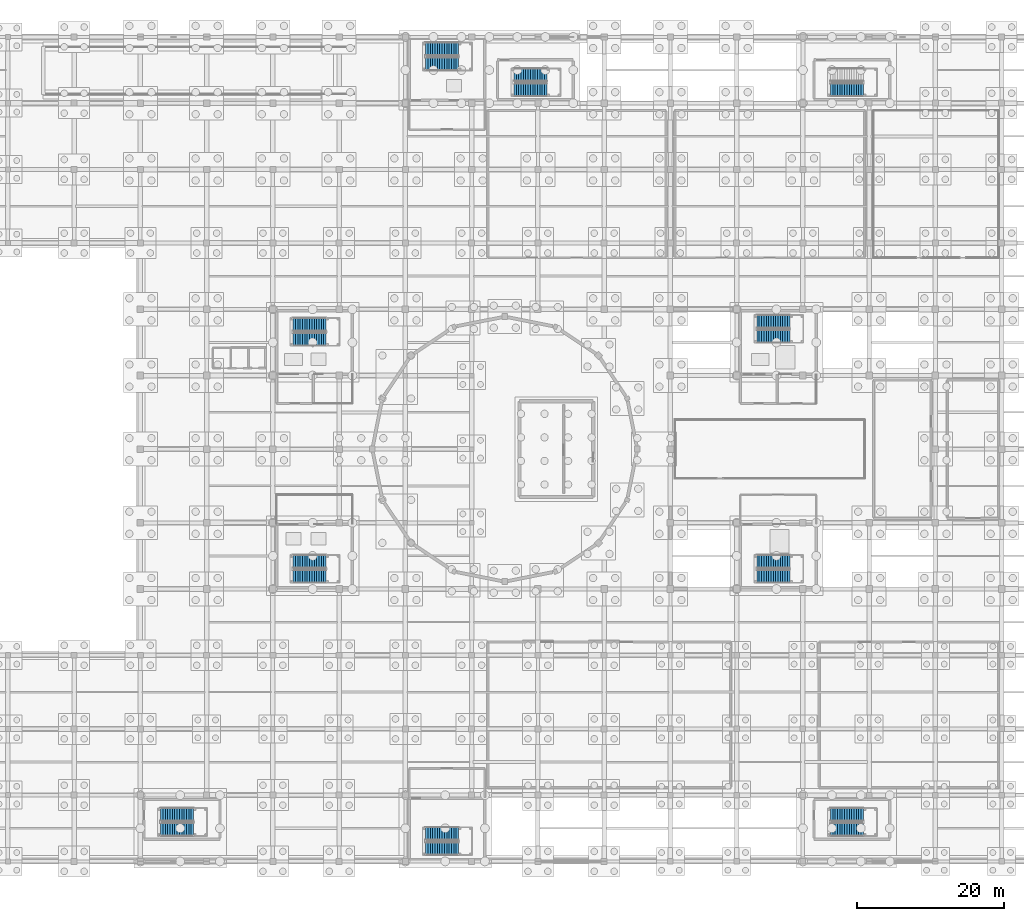
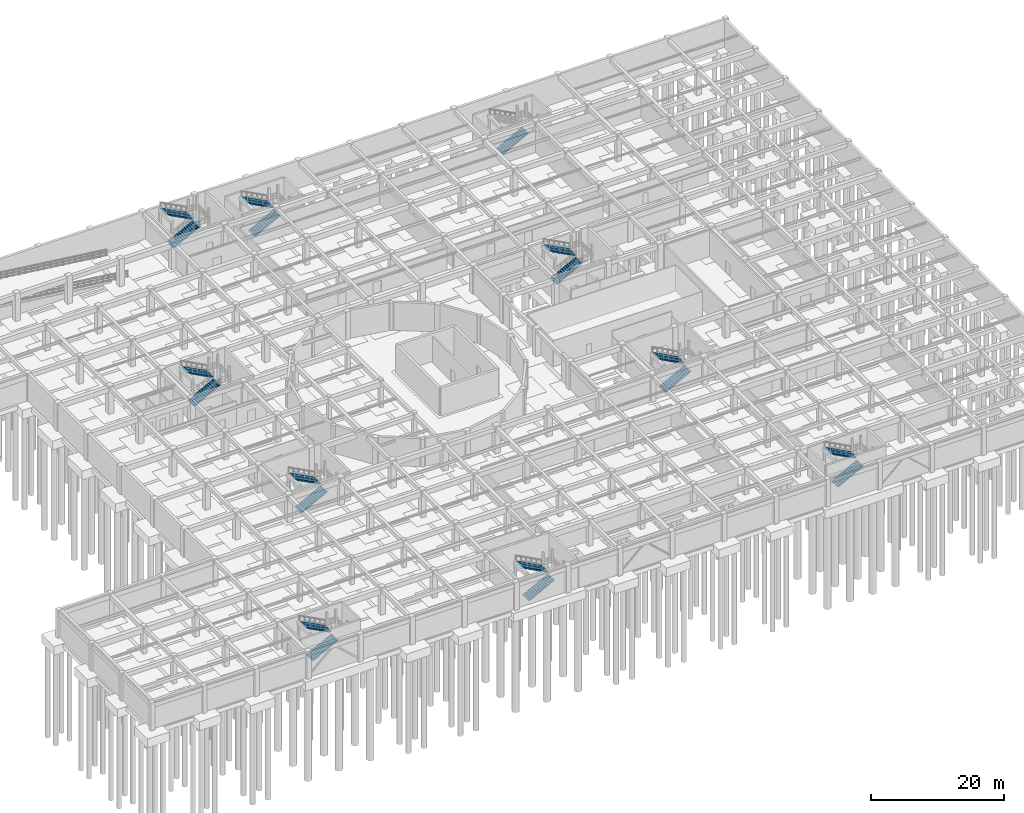
# One storey, part 51 of 62: 19 stair flights, 10 elements without a shape of their own.
"""IFC4 building model written with IfcOpenShell, lengths in metres."""

from ifc_helpers import new_model, si_unit, direction, frame, origin, place, context, subcontext, project, spatial, polyline, outline, extrude, material, type_object, element, aggregate, save


model = new_model("IFC4")

# Units and contexts
model_context = context("Model", 3, precision=1e-05, world=origin(), true_north=direction((0.0, 1.0)))
body_context = subcontext(model_context, "Body", "Model", "MODEL_VIEW")
ifc_project = project(units=[si_unit("LENGTHUNIT", "METRE"), si_unit("AREAUNIT", "SQUARE_METRE"), si_unit("VOLUMEUNIT", "CUBIC_METRE"), si_unit("PLANEANGLEUNIT", "RADIAN"), si_unit("MASSUNIT", "GRAM", prefix="KILO")], contexts=[model_context])

# Site, building, storey
site_placement = place(None, origin())
site = spatial("IfcSite", under=ifc_project, at=site_placement, CompositionType="ELEMENT")
building_placement = place(site_placement, origin())
building = spatial("IfcBuilding", under=site, at=building_placement, Name="Miravela Opera House", CompositionType="ELEMENT")
storey_placement = place(building_placement, frame((0.0, 0.0, -5.10009765625)))
storey = spatial("IfcBuildingStorey", under=building, at=storey_placement, Name="B01", CompositionType="ELEMENT", Elevation=-5.10009765625)

# Stair, stair flights
ifc_material = material(Name="Concrete C35/45", Category="concrete")
stair_type_1 = type_object("IfcStairType", Name="ARC-STAIR-CORE-1680", PredefinedType="HALF_TURN_STAIR", material=ifc_material)
stair_1_placement = place(storey_placement, origin())
stair_1 = element("IfcStair", 1, at=stair_1_placement, inside=storey, type_object=stair_type_1, Name="B01 Core K1 North Foyer and Firefighting Core Exit Stair ST-01", PredefinedType="HALF_TURN_STAIR")
stair_flight_type_1 = type_object("IfcStairFlightType", Name="ARC-FLIGHT-1680", PredefinedType="STRAIGHT", material=ifc_material)
stair_flight_1_placement = place(storey_placement, frame((47.739990234375, 70.919921875, 0.0), z_axis=(0.0, 0.0, 1.0), x_axis=(1.0, 0.0, 0.0)))
stair_flight_1 = element("IfcStairFlight", 2, at=stair_flight_1_placement, type_object=stair_flight_type_1, Name="ST-01 flight 1", NumberOfRisers=15, NumberOfTreads=14, PredefinedType="STRAIGHT", RiserHeight=0.17, TreadLength=0.32, context=body_context, shape_type="SweptSolid", body=[
    extrude(outline(polyline([(0.0, 0.0), (0.0, 0.169921875), (0.320068359375, 0.169921875), (0.320068359375, 0.340087890625), (0.639892578125, 0.340087890625), (0.639892578125, 0.510009765625), (0.9599609375, 0.510009765625), (0.9599609375, 0.679931640625), (1.280029296875, 0.679931640625), (1.280029296875, 0.85009765625), (1.60009765625, 0.85009765625), (1.60009765625, 1.02001953125), (1.919921875, 1.02001953125), (1.919921875, 1.18994140625), (2.239990234375, 1.18994140625), (2.239990234375, 1.360107421875), (2.56005859375, 1.360107421875), (2.56005859375, 1.530029296875), (2.8798828125, 1.530029296875), (2.8798828125, 1.699951171875), (3.199951171875, 1.699951171875), (3.199951171875, 1.8701171875), (3.52001953125, 1.8701171875), (3.52001953125, 2.0400390625), (3.840087890625, 2.0400390625), (3.840087890625, 2.2099609375), (4.159912109375, 2.2099609375), (4.159912109375, 2.3798828125), (4.47998046875, 2.3798828125), (4.47998046875, 2.550048828125), (4.47998046875, 2.210205078125), (0.319580078125, 0.0), (0.0, 0.0)])), frame((0.0, 0.919921875, 0.0), z_axis=(0.0, -1.0, 0.0), x_axis=(1.0, 0.0, 0.0)), (0.0, 0.0, 1.0), 1.840087890625),
])
stair_flight_2_placement = place(storey_placement, frame((52.219970703125, 72.9599609375, 2.550048828125), z_axis=(0.0, 0.0, 1.0), x_axis=(-1.0, 0.0, 0.0)))
stair_flight_2 = element("IfcStairFlight", 3, at=stair_flight_2_placement, type_object=stair_flight_type_1, Name="ST-01 flight 2", NumberOfRisers=15, NumberOfTreads=14, PredefinedType="STRAIGHT", RiserHeight=0.17, TreadLength=0.32, context=body_context, shape_type="SweptSolid", body=[
    extrude(outline(polyline([(0.0, 0.0), (0.0, 0.169921875), (0.320068359375, 0.169921875), (0.320068359375, 0.340087890625), (0.639892578125, 0.340087890625), (0.639892578125, 0.510009765625), (0.9599609375, 0.510009765625), (0.9599609375, 0.679931640625), (1.280029296875, 0.679931640625), (1.280029296875, 0.85009765625), (1.60009765625, 0.85009765625), (1.60009765625, 1.02001953125), (1.919921875, 1.02001953125), (1.919921875, 1.18994140625), (2.239990234375, 1.18994140625), (2.239990234375, 1.360107421875), (2.56005859375, 1.360107421875), (2.56005859375, 1.530029296875), (2.8798828125, 1.530029296875), (2.8798828125, 1.699951171875), (3.199951171875, 1.699951171875), (3.199951171875, 1.8701171875), (3.52001953125, 1.8701171875), (3.52001953125, 2.0400390625), (3.840087890625, 2.0400390625), (3.840087890625, 2.2099609375), (4.159912109375, 2.2099609375), (4.159912109375, 2.3798828125), (4.47998046875, 2.3798828125), (4.47998046875, 2.550048828125), (4.47998046875, 2.210205078125), (0.319580078125, 0.0), (0.0, 0.0)])), frame((0.0, 0.919921875, 0.0), z_axis=(0.0, -1.0, 0.0), x_axis=(1.0, 0.0, 0.0)), (0.0, 0.0, 1.0), 1.840087890625),
])
aggregate(stair_1, [stair_flight_1, stair_flight_2])

stair_2_placement = place(storey_placement, origin())
stair_2 = element("IfcStair", 4, at=stair_2_placement, inside=storey, type_object=stair_type_1, Name="B01 Core K2 South Foyer Core Exit Stair ST-02", PredefinedType="HALF_TURN_STAIR")
stair_flight_3_placement = place(storey_placement, frame((47.739990234375, 38.719970703125, 0.0), z_axis=(0.0, 0.0, 1.0), x_axis=(1.0, 0.0, 0.0)))
stair_flight_3 = element("IfcStairFlight", 5, at=stair_flight_3_placement, type_object=stair_flight_type_1, Name="ST-02 flight 1", NumberOfRisers=15, NumberOfTreads=14, PredefinedType="STRAIGHT", RiserHeight=0.17, TreadLength=0.32, context=body_context, shape_type="SweptSolid", body=[
    extrude(outline(polyline([(0.0, 0.0), (0.0, 0.169921875), (0.320068359375, 0.169921875), (0.320068359375, 0.340087890625), (0.639892578125, 0.340087890625), (0.639892578125, 0.510009765625), (0.9599609375, 0.510009765625), (0.9599609375, 0.679931640625), (1.280029296875, 0.679931640625), (1.280029296875, 0.85009765625), (1.60009765625, 0.85009765625), (1.60009765625, 1.02001953125), (1.919921875, 1.02001953125), (1.919921875, 1.18994140625), (2.239990234375, 1.18994140625), (2.239990234375, 1.360107421875), (2.56005859375, 1.360107421875), (2.56005859375, 1.530029296875), (2.8798828125, 1.530029296875), (2.8798828125, 1.699951171875), (3.199951171875, 1.699951171875), (3.199951171875, 1.8701171875), (3.52001953125, 1.8701171875), (3.52001953125, 2.0400390625), (3.840087890625, 2.0400390625), (3.840087890625, 2.2099609375), (4.159912109375, 2.2099609375), (4.159912109375, 2.3798828125), (4.47998046875, 2.3798828125), (4.47998046875, 2.550048828125), (4.47998046875, 2.210205078125), (0.319580078125, 0.0), (0.0, 0.0)])), frame((0.0, 0.919921875, 0.0), z_axis=(0.0, -1.0, 0.0), x_axis=(1.0, 0.0, 0.0)), (0.0, 0.0, 1.0), 1.840087890625),
])
stair_flight_4_placement = place(storey_placement, frame((52.219970703125, 40.760009765625, 2.550048828125), z_axis=(0.0, 0.0, 1.0), x_axis=(-1.0, 0.0, 0.0)))
stair_flight_4 = element("IfcStairFlight", 6, at=stair_flight_4_placement, type_object=stair_flight_type_1, Name="ST-02 flight 2", NumberOfRisers=15, NumberOfTreads=14, PredefinedType="STRAIGHT", RiserHeight=0.17, TreadLength=0.32, context=body_context, shape_type="SweptSolid", body=[
    extrude(outline(polyline([(0.0, 0.0), (0.0, 0.169921875), (0.320068359375, 0.169921875), (0.320068359375, 0.340087890625), (0.639892578125, 0.340087890625), (0.639892578125, 0.510009765625), (0.9599609375, 0.510009765625), (0.9599609375, 0.679931640625), (1.280029296875, 0.679931640625), (1.280029296875, 0.85009765625), (1.60009765625, 0.85009765625), (1.60009765625, 1.02001953125), (1.919921875, 1.02001953125), (1.919921875, 1.18994140625), (2.239990234375, 1.18994140625), (2.239990234375, 1.360107421875), (2.56005859375, 1.360107421875), (2.56005859375, 1.530029296875), (2.8798828125, 1.530029296875), (2.8798828125, 1.699951171875), (3.199951171875, 1.699951171875), (3.199951171875, 1.8701171875), (3.52001953125, 1.8701171875), (3.52001953125, 2.0400390625), (3.840087890625, 2.0400390625), (3.840087890625, 2.2099609375), (4.159912109375, 2.2099609375), (4.159912109375, 2.3798828125), (4.47998046875, 2.3798828125), (4.47998046875, 2.550048828125), (4.47998046875, 2.210205078125), (0.319580078125, 0.0), (0.0, 0.0)])), frame((0.0, 0.919921875, 0.0), z_axis=(0.0, -1.0, 0.0), x_axis=(1.0, 0.0, 0.0)), (0.0, 0.0, 1.0), 1.840087890625),
])
aggregate(stair_2, [stair_flight_3, stair_flight_4])

stair_3_placement = place(storey_placement, origin())
stair_3 = element("IfcStair", 7, at=stair_3_placement, inside=storey, type_object=stair_type_1, Name="B01 Core K3 North Stage and Firefighting Core Exit Stair ST-03", PredefinedType="HALF_TURN_STAIR")
stair_flight_5_placement = place(storey_placement, frame((110.739990234375, 71.320068359375, 0.0), z_axis=(0.0, 0.0, 1.0), x_axis=(1.0, 0.0, 0.0)))
stair_flight_5 = element("IfcStairFlight", 8, at=stair_flight_5_placement, type_object=stair_flight_type_1, Name="ST-03 flight 1", NumberOfRisers=15, NumberOfTreads=14, PredefinedType="STRAIGHT", RiserHeight=0.17, TreadLength=0.32, context=body_context, shape_type="SweptSolid", body=[
    extrude(outline(polyline([(0.0, 0.0), (0.0, 0.169921875), (0.320068359375, 0.169921875), (0.320068359375, 0.340087890625), (0.639892578125, 0.340087890625), (0.639892578125, 0.510009765625), (0.9599609375, 0.510009765625), (0.9599609375, 0.679931640625), (1.280029296875, 0.679931640625), (1.280029296875, 0.85009765625), (1.60009765625, 0.85009765625), (1.60009765625, 1.02001953125), (1.919921875, 1.02001953125), (1.919921875, 1.18994140625), (2.239990234375, 1.18994140625), (2.239990234375, 1.360107421875), (2.56005859375, 1.360107421875), (2.56005859375, 1.530029296875), (2.8798828125, 1.530029296875), (2.8798828125, 1.699951171875), (3.199951171875, 1.699951171875), (3.199951171875, 1.8701171875), (3.52001953125, 1.8701171875), (3.52001953125, 2.0400390625), (3.840087890625, 2.0400390625), (3.840087890625, 2.2099609375), (4.159912109375, 2.2099609375), (4.159912109375, 2.3798828125), (4.47998046875, 2.3798828125), (4.47998046875, 2.550048828125), (4.47998046875, 2.210205078125), (0.319580078125, 0.0), (0.0, 0.0)])), frame((0.0, 0.919921875, 0.0), z_axis=(0.0, -1.0, 0.0), x_axis=(1.0, 0.0, 0.0)), (0.0, 0.0, 1.0), 1.840087890625),
])
stair_flight_6_placement = place(storey_placement, frame((115.219970703125, 73.360107421875, 2.550048828125), z_axis=(0.0, 0.0, 1.0), x_axis=(-1.0, 0.0, 0.0)))
stair_flight_6 = element("IfcStairFlight", 9, at=stair_flight_6_placement, type_object=stair_flight_type_1, Name="ST-03 flight 2", NumberOfRisers=15, NumberOfTreads=14, PredefinedType="STRAIGHT", RiserHeight=0.17, TreadLength=0.32, context=body_context, shape_type="SweptSolid", body=[
    extrude(outline(polyline([(0.0, 0.0), (0.0, 0.169921875), (0.320068359375, 0.169921875), (0.320068359375, 0.340087890625), (0.639892578125, 0.340087890625), (0.639892578125, 0.510009765625), (0.9599609375, 0.510009765625), (0.9599609375, 0.679931640625), (1.280029296875, 0.679931640625), (1.280029296875, 0.85009765625), (1.60009765625, 0.85009765625), (1.60009765625, 1.02001953125), (1.919921875, 1.02001953125), (1.919921875, 1.18994140625), (2.239990234375, 1.18994140625), (2.239990234375, 1.360107421875), (2.56005859375, 1.360107421875), (2.56005859375, 1.530029296875), (2.8798828125, 1.530029296875), (2.8798828125, 1.699951171875), (3.199951171875, 1.699951171875), (3.199951171875, 1.8701171875), (3.52001953125, 1.8701171875), (3.52001953125, 2.0400390625), (3.840087890625, 2.0400390625), (3.840087890625, 2.2099609375), (4.159912109375, 2.2099609375), (4.159912109375, 2.3798828125), (4.47998046875, 2.3798828125), (4.47998046875, 2.550048828125), (4.47998046875, 2.210205078125), (0.319580078125, 0.0), (0.0, 0.0)])), frame((0.0, 0.919921875, 0.0), z_axis=(0.0, -1.0, 0.0), x_axis=(1.0, 0.0, 0.0)), (0.0, 0.0, 1.0), 1.840087890625),
])
aggregate(stair_3, [stair_flight_5, stair_flight_6])

stair_4_placement = place(storey_placement, origin())
stair_4 = element("IfcStair", 10, at=stair_4_placement, inside=storey, type_object=stair_type_1, Name="B01 Core K4 South Stage Core Exit Stair ST-04", PredefinedType="HALF_TURN_STAIR")
stair_flight_7_placement = place(storey_placement, frame((110.739990234375, 38.719970703125, 0.0), z_axis=(0.0, 0.0, 1.0), x_axis=(1.0, 0.0, 0.0)))
stair_flight_7 = element("IfcStairFlight", 11, at=stair_flight_7_placement, type_object=stair_flight_type_1, Name="ST-04 flight 1", NumberOfRisers=15, NumberOfTreads=14, PredefinedType="STRAIGHT", RiserHeight=0.17, TreadLength=0.32, context=body_context, shape_type="SweptSolid", body=[
    extrude(outline(polyline([(0.0, 0.0), (0.0, 0.169921875), (0.320068359375, 0.169921875), (0.320068359375, 0.340087890625), (0.639892578125, 0.340087890625), (0.639892578125, 0.510009765625), (0.9599609375, 0.510009765625), (0.9599609375, 0.679931640625), (1.280029296875, 0.679931640625), (1.280029296875, 0.85009765625), (1.60009765625, 0.85009765625), (1.60009765625, 1.02001953125), (1.919921875, 1.02001953125), (1.919921875, 1.18994140625), (2.239990234375, 1.18994140625), (2.239990234375, 1.360107421875), (2.56005859375, 1.360107421875), (2.56005859375, 1.530029296875), (2.8798828125, 1.530029296875), (2.8798828125, 1.699951171875), (3.199951171875, 1.699951171875), (3.199951171875, 1.8701171875), (3.52001953125, 1.8701171875), (3.52001953125, 2.0400390625), (3.840087890625, 2.0400390625), (3.840087890625, 2.2099609375), (4.159912109375, 2.2099609375), (4.159912109375, 2.3798828125), (4.47998046875, 2.3798828125), (4.47998046875, 2.550048828125), (4.47998046875, 2.210205078125), (0.319580078125, 0.0), (0.0, 0.0)])), frame((0.0, 0.919921875, 0.0), z_axis=(0.0, -1.0, 0.0), x_axis=(1.0, 0.0, 0.0)), (0.0, 0.0, 1.0), 1.840087890625),
])
stair_flight_8_placement = place(storey_placement, frame((115.219970703125, 40.760009765625, 2.550048828125), z_axis=(0.0, 0.0, 1.0), x_axis=(-1.0, 0.0, 0.0)))
stair_flight_8 = element("IfcStairFlight", 12, at=stair_flight_8_placement, type_object=stair_flight_type_1, Name="ST-04 flight 2", NumberOfRisers=15, NumberOfTreads=14, PredefinedType="STRAIGHT", RiserHeight=0.17, TreadLength=0.32, context=body_context, shape_type="SweptSolid", body=[
    extrude(outline(polyline([(0.0, 0.0), (0.0, 0.169921875), (0.320068359375, 0.169921875), (0.320068359375, 0.340087890625), (0.639892578125, 0.340087890625), (0.639892578125, 0.510009765625), (0.9599609375, 0.510009765625), (0.9599609375, 0.679931640625), (1.280029296875, 0.679931640625), (1.280029296875, 0.85009765625), (1.60009765625, 0.85009765625), (1.60009765625, 1.02001953125), (1.919921875, 1.02001953125), (1.919921875, 1.18994140625), (2.239990234375, 1.18994140625), (2.239990234375, 1.360107421875), (2.56005859375, 1.360107421875), (2.56005859375, 1.530029296875), (2.8798828125, 1.530029296875), (2.8798828125, 1.699951171875), (3.199951171875, 1.699951171875), (3.199951171875, 1.8701171875), (3.52001953125, 1.8701171875), (3.52001953125, 2.0400390625), (3.840087890625, 2.0400390625), (3.840087890625, 2.2099609375), (4.159912109375, 2.2099609375), (4.159912109375, 2.3798828125), (4.47998046875, 2.3798828125), (4.47998046875, 2.550048828125), (4.47998046875, 2.210205078125), (0.319580078125, 0.0), (0.0, 0.0)])), frame((0.0, 0.919921875, 0.0), z_axis=(0.0, -1.0, 0.0), x_axis=(1.0, 0.0, 0.0)), (0.0, 0.0, 1.0), 1.840087890625),
])
aggregate(stair_4, [stair_flight_7, stair_flight_8])

stair_5_placement = place(storey_placement, origin())
stair_5 = element("IfcStair", 13, at=stair_5_placement, inside=storey, type_object=stair_type_1, Name="B01 Core K5 North Rehearsal Core Exit Stair ST-05", PredefinedType="HALF_TURN_STAIR")
stair_flight_9_placement = place(storey_placement, frame((65.739990234375, 108.320068359375, 0.0), z_axis=(0.0, 0.0, 1.0), x_axis=(1.0, 0.0, 0.0)))
stair_flight_9 = element("IfcStairFlight", 14, at=stair_flight_9_placement, type_object=stair_flight_type_1, Name="ST-05 flight 1", NumberOfRisers=15, NumberOfTreads=14, PredefinedType="STRAIGHT", RiserHeight=0.17, TreadLength=0.32, context=body_context, shape_type="SweptSolid", body=[
    extrude(outline(polyline([(0.0, 0.0), (0.0, 0.169921875), (0.320068359375, 0.169921875), (0.320068359375, 0.340087890625), (0.639892578125, 0.340087890625), (0.639892578125, 0.510009765625), (0.9599609375, 0.510009765625), (0.9599609375, 0.679931640625), (1.280029296875, 0.679931640625), (1.280029296875, 0.85009765625), (1.60009765625, 0.85009765625), (1.60009765625, 1.02001953125), (1.919921875, 1.02001953125), (1.919921875, 1.18994140625), (2.239990234375, 1.18994140625), (2.239990234375, 1.360107421875), (2.56005859375, 1.360107421875), (2.56005859375, 1.530029296875), (2.8798828125, 1.530029296875), (2.8798828125, 1.699951171875), (3.199951171875, 1.699951171875), (3.199951171875, 1.8701171875), (3.52001953125, 1.8701171875), (3.52001953125, 2.0400390625), (3.840087890625, 2.0400390625), (3.840087890625, 2.2099609375), (4.159912109375, 2.2099609375), (4.159912109375, 2.3798828125), (4.47998046875, 2.3798828125), (4.47998046875, 2.550048828125), (4.47998046875, 2.210205078125), (0.319580078125, 0.0), (0.0, 0.0)])), frame((0.0, 0.919921875, 0.0), z_axis=(0.0, -1.0, 0.0), x_axis=(1.0, 0.0, 0.0)), (0.0, 0.0, 1.0), 1.840087890625),
])
stair_flight_10_placement = place(storey_placement, frame((70.219970703125, 110.360107421875, 2.550048828125), z_axis=(0.0, 0.0, 1.0), x_axis=(-1.0, 0.0, 0.0)))
stair_flight_10 = element("IfcStairFlight", 15, at=stair_flight_10_placement, type_object=stair_flight_type_1, Name="ST-05 flight 2", NumberOfRisers=15, NumberOfTreads=14, PredefinedType="STRAIGHT", RiserHeight=0.17, TreadLength=0.32, context=body_context, shape_type="SweptSolid", body=[
    extrude(outline(polyline([(0.0, 0.0), (0.0, 0.169921875), (0.320068359375, 0.169921875), (0.320068359375, 0.340087890625), (0.639892578125, 0.340087890625), (0.639892578125, 0.510009765625), (0.9599609375, 0.510009765625), (0.9599609375, 0.679931640625), (1.280029296875, 0.679931640625), (1.280029296875, 0.85009765625), (1.60009765625, 0.85009765625), (1.60009765625, 1.02001953125), (1.919921875, 1.02001953125), (1.919921875, 1.18994140625), (2.239990234375, 1.18994140625), (2.239990234375, 1.360107421875), (2.56005859375, 1.360107421875), (2.56005859375, 1.530029296875), (2.8798828125, 1.530029296875), (2.8798828125, 1.699951171875), (3.199951171875, 1.699951171875), (3.199951171875, 1.8701171875), (3.52001953125, 1.8701171875), (3.52001953125, 2.0400390625), (3.840087890625, 2.0400390625), (3.840087890625, 2.2099609375), (4.159912109375, 2.2099609375), (4.159912109375, 2.3798828125), (4.47998046875, 2.3798828125), (4.47998046875, 2.550048828125), (4.47998046875, 2.210205078125), (0.319580078125, 0.0), (0.0, 0.0)])), frame((0.0, 0.919921875, 0.0), z_axis=(0.0, -1.0, 0.0), x_axis=(1.0, 0.0, 0.0)), (0.0, 0.0, 1.0), 1.840087890625),
])
aggregate(stair_5, [stair_flight_9, stair_flight_10])

stair_6_placement = place(storey_placement, origin())
stair_6 = element("IfcStair", 16, at=stair_6_placement, inside=storey, type_object=stair_type_1, Name="B01 Core K6 South Artist Core Exit Stair ST-06", PredefinedType="HALF_TURN_STAIR")
stair_flight_11_placement = place(storey_placement, frame((65.739990234375, 1.719970703125, 0.0), z_axis=(0.0, 0.0, 1.0), x_axis=(1.0, 0.0, 0.0)))
stair_flight_11 = element("IfcStairFlight", 17, at=stair_flight_11_placement, type_object=stair_flight_type_1, Name="ST-06 flight 1", NumberOfRisers=15, NumberOfTreads=14, PredefinedType="STRAIGHT", RiserHeight=0.17, TreadLength=0.32, context=body_context, shape_type="SweptSolid", body=[
    extrude(outline(polyline([(0.0, 0.0), (0.0, 0.169921875), (0.320068359375, 0.169921875), (0.320068359375, 0.340087890625), (0.639892578125, 0.340087890625), (0.639892578125, 0.510009765625), (0.9599609375, 0.510009765625), (0.9599609375, 0.679931640625), (1.280029296875, 0.679931640625), (1.280029296875, 0.85009765625), (1.60009765625, 0.85009765625), (1.60009765625, 1.02001953125), (1.919921875, 1.02001953125), (1.919921875, 1.18994140625), (2.239990234375, 1.18994140625), (2.239990234375, 1.360107421875), (2.56005859375, 1.360107421875), (2.56005859375, 1.530029296875), (2.8798828125, 1.530029296875), (2.8798828125, 1.699951171875), (3.199951171875, 1.699951171875), (3.199951171875, 1.8701171875), (3.52001953125, 1.8701171875), (3.52001953125, 2.0400390625), (3.840087890625, 2.0400390625), (3.840087890625, 2.2099609375), (4.159912109375, 2.2099609375), (4.159912109375, 2.3798828125), (4.47998046875, 2.3798828125), (4.47998046875, 2.550048828125), (4.47998046875, 2.210205078125), (0.319580078125, 0.0), (0.0, 0.0)])), frame((0.0, 0.919921875, 0.0), z_axis=(0.0, -1.0, 0.0), x_axis=(1.0, 0.0, 0.0)), (0.0, 0.0, 1.0), 1.840087890625),
])
stair_flight_12_placement = place(storey_placement, frame((70.219970703125, 3.760009765625, 2.550048828125), z_axis=(0.0, 0.0, 1.0), x_axis=(-1.0, 0.0, 0.0)))
stair_flight_12 = element("IfcStairFlight", 18, at=stair_flight_12_placement, type_object=stair_flight_type_1, Name="ST-06 flight 2", NumberOfRisers=15, NumberOfTreads=14, PredefinedType="STRAIGHT", RiserHeight=0.17, TreadLength=0.32, context=body_context, shape_type="SweptSolid", body=[
    extrude(outline(polyline([(0.0, 0.0), (0.0, 0.169921875), (0.320068359375, 0.169921875), (0.320068359375, 0.340087890625), (0.639892578125, 0.340087890625), (0.639892578125, 0.510009765625), (0.9599609375, 0.510009765625), (0.9599609375, 0.679931640625), (1.280029296875, 0.679931640625), (1.280029296875, 0.85009765625), (1.60009765625, 0.85009765625), (1.60009765625, 1.02001953125), (1.919921875, 1.02001953125), (1.919921875, 1.18994140625), (2.239990234375, 1.18994140625), (2.239990234375, 1.360107421875), (2.56005859375, 1.360107421875), (2.56005859375, 1.530029296875), (2.8798828125, 1.530029296875), (2.8798828125, 1.699951171875), (3.199951171875, 1.699951171875), (3.199951171875, 1.8701171875), (3.52001953125, 1.8701171875), (3.52001953125, 2.0400390625), (3.840087890625, 2.0400390625), (3.840087890625, 2.2099609375), (4.159912109375, 2.2099609375), (4.159912109375, 2.3798828125), (4.47998046875, 2.3798828125), (4.47998046875, 2.550048828125), (4.47998046875, 2.210205078125), (0.319580078125, 0.0), (0.0, 0.0)])), frame((0.0, 0.919921875, 0.0), z_axis=(0.0, -1.0, 0.0), x_axis=(1.0, 0.0, 0.0)), (0.0, 0.0, 1.0), 1.840087890625),
])
aggregate(stair_6, [stair_flight_11, stair_flight_12])

stair_type_2 = type_object("IfcStairType", Name="ARC-STAIR-WING-1680", PredefinedType="HALF_TURN_STAIR", material=ifc_material)
stair_7_placement = place(storey_placement, origin())
stair_7 = element("IfcStair", 19, at=stair_7_placement, inside=storey, type_object=stair_type_2, Name="B01 North Wing West Exit Stair ST-07", PredefinedType="HALF_TURN_STAIR")
stair_flight_type_2 = type_object("IfcStairFlightType", Name="ARC-FLIGHT-WING-1680", PredefinedType="STRAIGHT", material=ifc_material)
stair_flight_13_placement = place(storey_placement, frame((77.739990234375, 104.820068359375, 0.0), z_axis=(0.0, 0.0, 1.0), x_axis=(1.0, 0.0, 0.0)))
stair_flight_13 = element("IfcStairFlight", 20, at=stair_flight_13_placement, type_object=stair_flight_type_2, Name="ST-07 flight 1", NumberOfRisers=15, NumberOfTreads=14, PredefinedType="STRAIGHT", RiserHeight=0.17, TreadLength=0.32, context=body_context, shape_type="SweptSolid", body=[
    extrude(outline(polyline([(0.0, 0.0), (0.0, 0.169921875), (0.320068359375, 0.169921875), (0.320068359375, 0.340087890625), (0.639892578125, 0.340087890625), (0.639892578125, 0.510009765625), (0.9599609375, 0.510009765625), (0.9599609375, 0.679931640625), (1.280029296875, 0.679931640625), (1.280029296875, 0.85009765625), (1.60009765625, 0.85009765625), (1.60009765625, 1.02001953125), (1.919921875, 1.02001953125), (1.919921875, 1.18994140625), (2.239990234375, 1.18994140625), (2.239990234375, 1.360107421875), (2.56005859375, 1.360107421875), (2.56005859375, 1.530029296875), (2.8798828125, 1.530029296875), (2.8798828125, 1.699951171875), (3.199951171875, 1.699951171875), (3.199951171875, 1.8701171875), (3.52001953125, 1.8701171875), (3.52001953125, 2.0400390625), (3.840087890625, 2.0400390625), (3.840087890625, 2.2099609375), (4.159912109375, 2.2099609375), (4.159912109375, 2.3798828125), (4.47998046875, 2.3798828125), (4.47998046875, 2.550048828125), (4.47998046875, 2.210205078125), (0.319580078125, 0.0), (0.0, 0.0)])), frame((0.0, 0.919921875, 0.0), z_axis=(0.0, -1.0, 0.0), x_axis=(1.0, 0.0, 0.0)), (0.0, 0.0, 1.0), 1.840087890625),
])
stair_flight_14_placement = place(storey_placement, frame((82.219970703125, 106.860107421875, 2.550048828125), z_axis=(0.0, 0.0, 1.0), x_axis=(-1.0, 0.0, 0.0)))
stair_flight_14 = element("IfcStairFlight", 21, at=stair_flight_14_placement, type_object=stair_flight_type_2, Name="ST-07 flight 2", NumberOfRisers=15, NumberOfTreads=14, PredefinedType="STRAIGHT", RiserHeight=0.17, TreadLength=0.32, context=body_context, shape_type="SweptSolid", body=[
    extrude(outline(polyline([(0.0, 0.0), (0.0, 0.169921875), (0.320068359375, 0.169921875), (0.320068359375, 0.340087890625), (0.639892578125, 0.340087890625), (0.639892578125, 0.510009765625), (0.9599609375, 0.510009765625), (0.9599609375, 0.679931640625), (1.280029296875, 0.679931640625), (1.280029296875, 0.85009765625), (1.60009765625, 0.85009765625), (1.60009765625, 1.02001953125), (1.919921875, 1.02001953125), (1.919921875, 1.18994140625), (2.239990234375, 1.18994140625), (2.239990234375, 1.360107421875), (2.56005859375, 1.360107421875), (2.56005859375, 1.530029296875), (2.8798828125, 1.530029296875), (2.8798828125, 1.699951171875), (3.199951171875, 1.699951171875), (3.199951171875, 1.8701171875), (3.52001953125, 1.8701171875), (3.52001953125, 2.0400390625), (3.840087890625, 2.0400390625), (3.840087890625, 2.2099609375), (4.159912109375, 2.2099609375), (4.159912109375, 2.3798828125), (4.47998046875, 2.3798828125), (4.47998046875, 2.550048828125), (4.47998046875, 2.210205078125), (0.319580078125, 0.0), (0.0, 0.0)])), frame((0.0, 0.919921875, 0.0), z_axis=(0.0, -1.0, 0.0), x_axis=(1.0, 0.0, 0.0)), (0.0, 0.0, 1.0), 1.840087890625),
])
aggregate(stair_7, [stair_flight_13, stair_flight_14])

stair_8_placement = place(storey_placement, origin())
stair_8 = element("IfcStair", 22, at=stair_8_placement, inside=storey, type_object=stair_type_2, Name="B01 South Wing West Exit Stair ST-08", PredefinedType="HALF_TURN_STAIR")
stair_flight_15_placement = place(storey_placement, frame((29.739990234375, 4.320068359375, 0.0), z_axis=(0.0, 0.0, 1.0), x_axis=(1.0, 0.0, 0.0)))
stair_flight_15 = element("IfcStairFlight", 23, at=stair_flight_15_placement, type_object=stair_flight_type_2, Name="ST-08 flight 1", NumberOfRisers=15, NumberOfTreads=14, PredefinedType="STRAIGHT", RiserHeight=0.17, TreadLength=0.32, context=body_context, shape_type="SweptSolid", body=[
    extrude(outline(polyline([(0.0, 0.0), (0.0, 0.169921875), (0.320068359375, 0.169921875), (0.320068359375, 0.340087890625), (0.639892578125, 0.340087890625), (0.639892578125, 0.510009765625), (0.9599609375, 0.510009765625), (0.9599609375, 0.679931640625), (1.280029296875, 0.679931640625), (1.280029296875, 0.85009765625), (1.60009765625, 0.85009765625), (1.60009765625, 1.02001953125), (1.919921875, 1.02001953125), (1.919921875, 1.18994140625), (2.239990234375, 1.18994140625), (2.239990234375, 1.360107421875), (2.56005859375, 1.360107421875), (2.56005859375, 1.530029296875), (2.8798828125, 1.530029296875), (2.8798828125, 1.699951171875), (3.199951171875, 1.699951171875), (3.199951171875, 1.8701171875), (3.52001953125, 1.8701171875), (3.52001953125, 2.0400390625), (3.840087890625, 2.0400390625), (3.840087890625, 2.2099609375), (4.159912109375, 2.2099609375), (4.159912109375, 2.3798828125), (4.47998046875, 2.3798828125), (4.47998046875, 2.550048828125), (4.47998046875, 2.210205078125), (0.319580078125, 0.0), (0.0, 0.0)])), frame((0.0, 0.919921875, 0.0), z_axis=(0.0, -1.0, 0.0), x_axis=(1.0, 0.0, 0.0)), (0.0, 0.0, 1.0), 1.840087890625),
])
stair_flight_16_placement = place(storey_placement, frame((34.219970703125, 6.360107421875, 2.550048828125), z_axis=(0.0, 0.0, 1.0), x_axis=(-1.0, 0.0, 0.0)))
stair_flight_16 = element("IfcStairFlight", 24, at=stair_flight_16_placement, type_object=stair_flight_type_2, Name="ST-08 flight 2", NumberOfRisers=15, NumberOfTreads=14, PredefinedType="STRAIGHT", RiserHeight=0.17, TreadLength=0.32, context=body_context, shape_type="SweptSolid", body=[
    extrude(outline(polyline([(0.0, 0.0), (0.0, 0.169921875), (0.320068359375, 0.169921875), (0.320068359375, 0.340087890625), (0.639892578125, 0.340087890625), (0.639892578125, 0.510009765625), (0.9599609375, 0.510009765625), (0.9599609375, 0.679931640625), (1.280029296875, 0.679931640625), (1.280029296875, 0.85009765625), (1.60009765625, 0.85009765625), (1.60009765625, 1.02001953125), (1.919921875, 1.02001953125), (1.919921875, 1.18994140625), (2.239990234375, 1.18994140625), (2.239990234375, 1.360107421875), (2.56005859375, 1.360107421875), (2.56005859375, 1.530029296875), (2.8798828125, 1.530029296875), (2.8798828125, 1.699951171875), (3.199951171875, 1.699951171875), (3.199951171875, 1.8701171875), (3.52001953125, 1.8701171875), (3.52001953125, 2.0400390625), (3.840087890625, 2.0400390625), (3.840087890625, 2.2099609375), (4.159912109375, 2.2099609375), (4.159912109375, 2.3798828125), (4.47998046875, 2.3798828125), (4.47998046875, 2.550048828125), (4.47998046875, 2.210205078125), (0.319580078125, 0.0), (0.0, 0.0)])), frame((0.0, 0.919921875, 0.0), z_axis=(0.0, -1.0, 0.0), x_axis=(1.0, 0.0, 0.0)), (0.0, 0.0, 1.0), 1.840087890625),
])
aggregate(stair_8, [stair_flight_15, stair_flight_16])

# Stair, stair flight
stair_9_placement = place(storey_placement, origin())
stair_9 = element("IfcStair", 25, at=stair_9_placement, inside=storey, type_object=stair_type_2, Name="B01 East Rehearsal Wing Exit Stair ST-09", PredefinedType="HALF_TURN_STAIR")
stair_flight_17_placement = place(storey_placement, frame((120.739990234375, 104.820068359375, 0.0), z_axis=(0.0, 0.0, 1.0), x_axis=(1.0, 0.0, 0.0)))
stair_flight_17 = element("IfcStairFlight", 26, at=stair_flight_17_placement, type_object=stair_flight_type_2, Name="ST-09 flight 1", NumberOfRisers=15, NumberOfTreads=14, PredefinedType="STRAIGHT", RiserHeight=0.17, TreadLength=0.32, context=body_context, shape_type="SweptSolid", body=[
    extrude(outline(polyline([(0.0, 0.0), (0.0, 0.169921875), (0.320068359375, 0.169921875), (0.320068359375, 0.340087890625), (0.639892578125, 0.340087890625), (0.639892578125, 0.510009765625), (0.9599609375, 0.510009765625), (0.9599609375, 0.679931640625), (1.280029296875, 0.679931640625), (1.280029296875, 0.85009765625), (1.60009765625, 0.85009765625), (1.60009765625, 1.02001953125), (1.919921875, 1.02001953125), (1.919921875, 1.18994140625), (2.239990234375, 1.18994140625), (2.239990234375, 1.360107421875), (2.56005859375, 1.360107421875), (2.56005859375, 1.530029296875), (2.8798828125, 1.530029296875), (2.8798828125, 1.699951171875), (3.199951171875, 1.699951171875), (3.199951171875, 1.8701171875), (3.52001953125, 1.8701171875), (3.52001953125, 2.0400390625), (3.840087890625, 2.0400390625), (3.840087890625, 2.2099609375), (4.159912109375, 2.2099609375), (4.159912109375, 2.3798828125), (4.47998046875, 2.3798828125), (4.47998046875, 2.550048828125), (4.47998046875, 2.210205078125), (0.319580078125, 0.0), (0.0, 0.0)])), frame((0.0, 0.919921875, 0.0), z_axis=(0.0, -1.0, 0.0), x_axis=(1.0, 0.0, 0.0)), (0.0, 0.0, 1.0), 1.840087890625),
])
aggregate(stair_9, [stair_flight_17])

# Stair, stair flights
stair_10_placement = place(storey_placement, origin())
stair_10 = element("IfcStair", 27, at=stair_10_placement, inside=storey, type_object=stair_type_2, Name="B01 East Workshop Wing Exit Stair ST-10", PredefinedType="HALF_TURN_STAIR")
stair_flight_18_placement = place(storey_placement, frame((120.739990234375, 4.320068359375, 0.0), z_axis=(0.0, 0.0, 1.0), x_axis=(1.0, 0.0, 0.0)))
stair_flight_18 = element("IfcStairFlight", 28, at=stair_flight_18_placement, type_object=stair_flight_type_2, Name="ST-10 flight 1", NumberOfRisers=15, NumberOfTreads=14, PredefinedType="STRAIGHT", RiserHeight=0.17, TreadLength=0.32, context=body_context, shape_type="SweptSolid", body=[
    extrude(outline(polyline([(0.0, 0.0), (0.0, 0.169921875), (0.320068359375, 0.169921875), (0.320068359375, 0.340087890625), (0.639892578125, 0.340087890625), (0.639892578125, 0.510009765625), (0.9599609375, 0.510009765625), (0.9599609375, 0.679931640625), (1.280029296875, 0.679931640625), (1.280029296875, 0.85009765625), (1.60009765625, 0.85009765625), (1.60009765625, 1.02001953125), (1.919921875, 1.02001953125), (1.919921875, 1.18994140625), (2.239990234375, 1.18994140625), (2.239990234375, 1.360107421875), (2.56005859375, 1.360107421875), (2.56005859375, 1.530029296875), (2.8798828125, 1.530029296875), (2.8798828125, 1.699951171875), (3.199951171875, 1.699951171875), (3.199951171875, 1.8701171875), (3.52001953125, 1.8701171875), (3.52001953125, 2.0400390625), (3.840087890625, 2.0400390625), (3.840087890625, 2.2099609375), (4.159912109375, 2.2099609375), (4.159912109375, 2.3798828125), (4.47998046875, 2.3798828125), (4.47998046875, 2.550048828125), (4.47998046875, 2.210205078125), (0.319580078125, 0.0), (0.0, 0.0)])), frame((0.0, 0.919921875, 0.0), z_axis=(0.0, -1.0, 0.0), x_axis=(1.0, 0.0, 0.0)), (0.0, 0.0, 1.0), 1.840087890625),
])
stair_flight_19_placement = place(storey_placement, frame((125.219970703125, 6.360107421875, 2.550048828125), z_axis=(0.0, 0.0, 1.0), x_axis=(-1.0, 0.0, 0.0)))
stair_flight_19 = element("IfcStairFlight", 29, at=stair_flight_19_placement, type_object=stair_flight_type_2, Name="ST-10 flight 2", NumberOfRisers=15, NumberOfTreads=14, PredefinedType="STRAIGHT", RiserHeight=0.17, TreadLength=0.32, context=body_context, shape_type="SweptSolid", body=[
    extrude(outline(polyline([(0.0, 0.0), (0.0, 0.169921875), (0.320068359375, 0.169921875), (0.320068359375, 0.340087890625), (0.639892578125, 0.340087890625), (0.639892578125, 0.510009765625), (0.9599609375, 0.510009765625), (0.9599609375, 0.679931640625), (1.280029296875, 0.679931640625), (1.280029296875, 0.85009765625), (1.60009765625, 0.85009765625), (1.60009765625, 1.02001953125), (1.919921875, 1.02001953125), (1.919921875, 1.18994140625), (2.239990234375, 1.18994140625), (2.239990234375, 1.360107421875), (2.56005859375, 1.360107421875), (2.56005859375, 1.530029296875), (2.8798828125, 1.530029296875), (2.8798828125, 1.699951171875), (3.199951171875, 1.699951171875), (3.199951171875, 1.8701171875), (3.52001953125, 1.8701171875), (3.52001953125, 2.0400390625), (3.840087890625, 2.0400390625), (3.840087890625, 2.2099609375), (4.159912109375, 2.2099609375), (4.159912109375, 2.3798828125), (4.47998046875, 2.3798828125), (4.47998046875, 2.550048828125), (4.47998046875, 2.210205078125), (0.319580078125, 0.0), (0.0, 0.0)])), frame((0.0, 0.919921875, 0.0), z_axis=(0.0, -1.0, 0.0), x_axis=(1.0, 0.0, 0.0)), (0.0, 0.0, 1.0), 1.840087890625),
])
aggregate(stair_10, [stair_flight_18, stair_flight_19])

save(model, "model.ifc")
